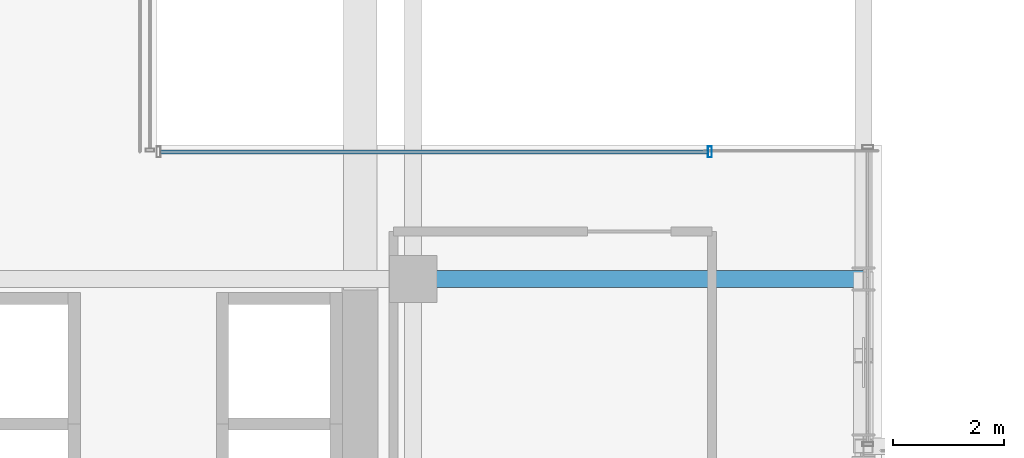
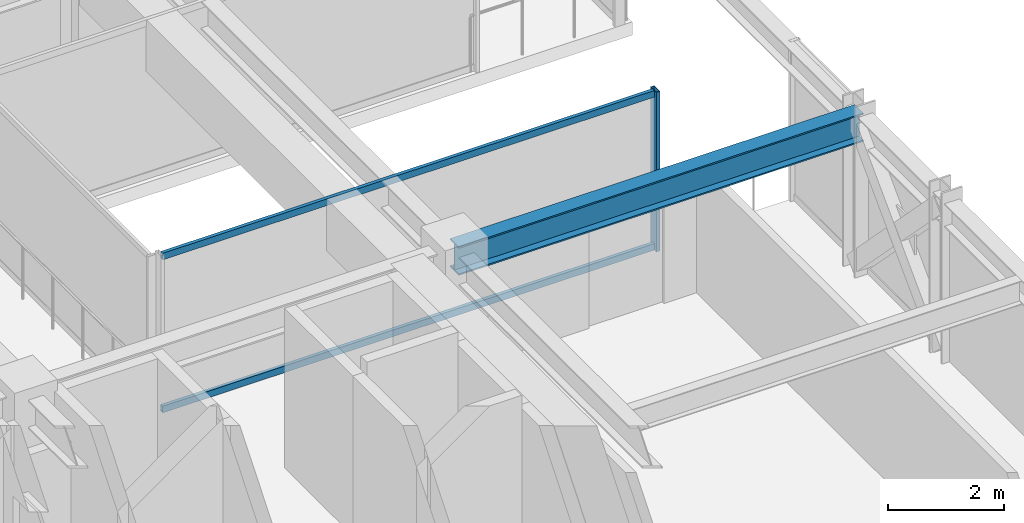
# One storey, part 20 of 47: 3 members, 1 beam, 1 element without a shape of its own.
"""IFC4 building model written with IfcOpenShell, lengths in metres."""

from ifc_helpers import new_model, si_unit, direction, frame, origin, origin_2d, place, context, subcontext, project, spatial, hollow_rectangle, i_section, extrude, source, transform, mapped, material, material_profile, profile_set, type_object, element, aggregate, save


model = new_model("IFC4")

# Units and contexts
model_context = context("Model", 3, precision=1e-05, world=origin(), true_north=direction((0.0, 1.0)))
body_context = subcontext(model_context, "Body", "Model", "MODEL_VIEW")
ifc_project = project(units=[si_unit("LENGTHUNIT", "METRE"), si_unit("AREAUNIT", "SQUARE_METRE"), si_unit("VOLUMEUNIT", "CUBIC_METRE"), si_unit("PLANEANGLEUNIT", "RADIAN"), si_unit("MASSUNIT", "GRAM", prefix="KILO")], contexts=[model_context])

# Site, building, storey
site_placement = place(None, origin())
site = spatial("IfcSite", under=ifc_project, at=site_placement, CompositionType="ELEMENT")
building_placement = place(site_placement, origin())
building = spatial("IfcBuilding", under=site, at=building_placement, Name="Nahalor Promenade Grand Hotel", CompositionType="ELEMENT")
storey_placement = place(building_placement, frame((0.0, 0.0, 68.89990234375)))
storey = spatial("IfcBuildingStorey", under=building, at=storey_placement, Name="L16", CompositionType="ELEMENT", Elevation=68.89990234375)

# Beam
ifc_material_1 = material(Name="Steel S355JR", Category="steel")
ifc_material_profile_1 = material_profile(ifc_material_1, i_section(OverallWidth=0.3, OverallDepth=0.6, WebThickness=0.0155, FlangeThickness=0.03, at=origin_2d()), Name="HEB 600")
ifc_profile_set_1 = profile_set([ifc_material_profile_1], Name="Steel S355JR")
beam_type = type_object("IfcBeamType", Name="Beam-Girder-HEB600", PredefinedType="BEAM", material=ifc_profile_set_1)
shared_shape_1 = source(origin(), body_context, "Body", "SweptSolid", [
    extrude(i_section(OverallWidth=0.3, OverallDepth=0.6, WebThickness=0.0155, FlangeThickness=0.03, at=origin_2d()), origin(), (0.0, 0.0, 1.0), 8.080078125),
])
beam_placement = place(storey_placement, frame((17.0, -5.39990234375, 3.070068359375), z_axis=(1.0, 0.0, 0.0), x_axis=(0.0, 1.0, 0.0)))
element("IfcBeam", 1, at=beam_placement, inside=storey, type_object=beam_type, Name="BM-L16-GX-1-6", PredefinedType="BEAM", context=body_context, shape_type="MappedRepresentation", body=[
    mapped(shared_shape_1, transform((0.0, 0.0, 0.0), scale=1.0)),
])

# Curtain wall, members
ifc_material_2 = material(Name="Anodised Bronze Aluminium EN AW-6063 T6", Category="aluminium")
curtain_wall_type = type_object("IfcCurtainWallType", Name="CW3 Elliptical-Void Collar Unitised Curtain Wall", PredefinedType="USERDEFINED", material=ifc_material_2)
curtain_wall_placement = place(storey_placement, origin())
curtain_wall = element("IfcCurtainWall", 2, at=curtain_wall_placement, inside=storey, type_object=curtain_wall_type, Name="L16 Curtain Wall CW-L16-VOID-ES1", ObjectType="UNITISED_CURTAIN_WALL", PredefinedType="USERDEFINED")
ifc_material_profile_2 = material_profile(ifc_material_2, hollow_rectangle(XDim=0.07, YDim=0.14, WallThickness=0.004, at=origin_2d()), Name="CWT 70x140x4")
ifc_profile_set_2 = profile_set([ifc_material_profile_2], Name="Anodised Bronze Aluminium EN AW-6063 T6")
member_type_1 = type_object("IfcMemberType", Name="CWT3 Void Collar Transom 70x140", PredefinedType="USERDEFINED", material=ifc_profile_set_2)
shared_shape_2 = source(origin(), body_context, "Body", "SweptSolid", [
    extrude(hollow_rectangle(XDim=0.07, YDim=0.14, WallThickness=0.004, at=origin_2d()), origin(), (0.0, 0.0, 1.0), 9.820068359375),
])
member_1_placement = place(storey_placement, frame((12.469970703125, -3.118896484375, 0.070068359375), z_axis=(1.0, 0.0, 0.0), x_axis=(0.0, 1.0, 0.0)))
member_1 = element("IfcMember", 3, at=member_1_placement, type_object=member_type_1, Name="CW-L16-VOID-ES1 Transom 0-0", ObjectType="TRANSOM", PredefinedType="USERDEFINED", context=body_context, shape_type="MappedRepresentation", body=[
    mapped(shared_shape_2, transform((0.0, 0.0, 0.0), scale=1.0)),
])
member_2_placement = place(storey_placement, frame((12.469970703125, -3.118896484375, 3.300048828125), z_axis=(1.0, 0.0, 0.0), x_axis=(0.0, 1.0, 0.0)))
member_2 = element("IfcMember", 4, at=member_2_placement, type_object=member_type_1, Name="CW-L16-VOID-ES1 Transom 0-1", ObjectType="TRANSOM", PredefinedType="USERDEFINED", context=body_context, shape_type="MappedRepresentation", body=[
    mapped(shared_shape_2, transform((0.0, 0.0, 0.0), scale=1.0)),
])
ifc_material_profile_3 = material_profile(ifc_material_2, hollow_rectangle(XDim=0.07, YDim=0.2, WallThickness=0.005, at=origin_2d()), Name="CWM 70x200x5")
ifc_profile_set_3 = profile_set([ifc_material_profile_3], Name="Anodised Bronze Aluminium EN AW-6063 T6")
member_type_2 = type_object("IfcMemberType", Name="CWM3 Void Collar Mullion 70x200", PredefinedType="MULLION", material=ifc_profile_set_3)
shared_shape_3 = source(origin(), body_context, "Body", "SweptSolid", [
    extrude(hollow_rectangle(XDim=0.07, YDim=0.2, WallThickness=0.005, at=origin_2d()), origin(), (0.0, 0.0, 1.0), 3.3701171875),
])
member_3_placement = place(storey_placement, frame((22.324951171875, -3.118896484375, 0.0), z_axis=(0.0, 0.0, 1.0), x_axis=(1.0, 0.0, 0.0)))
member_3 = element("IfcMember", 5, at=member_3_placement, type_object=member_type_2, Name="CW-L16-VOID-ES1 Mullion 1", PredefinedType="MULLION", context=body_context, shape_type="MappedRepresentation", body=[
    mapped(shared_shape_3, transform((0.0, 0.0, 0.0), scale=1.0)),
])
aggregate(curtain_wall, [member_3, member_1, member_2])

save(model, "model.ifc")
